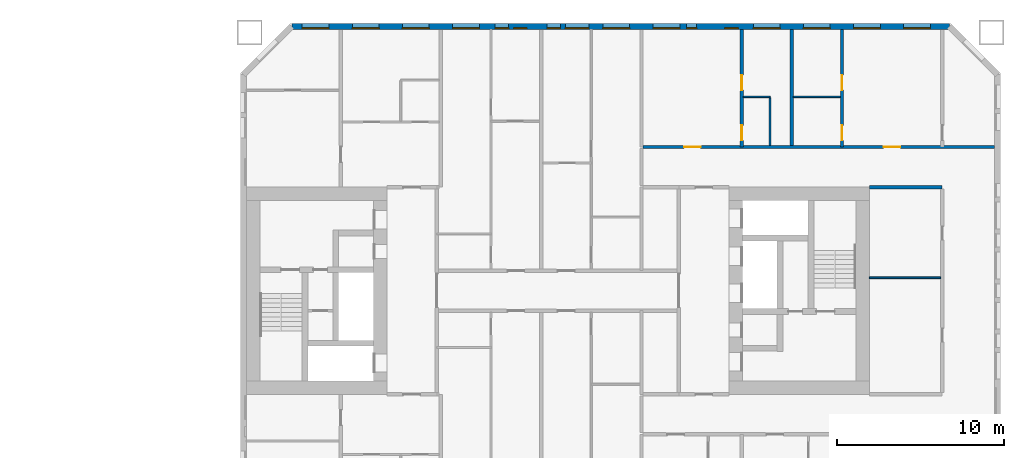
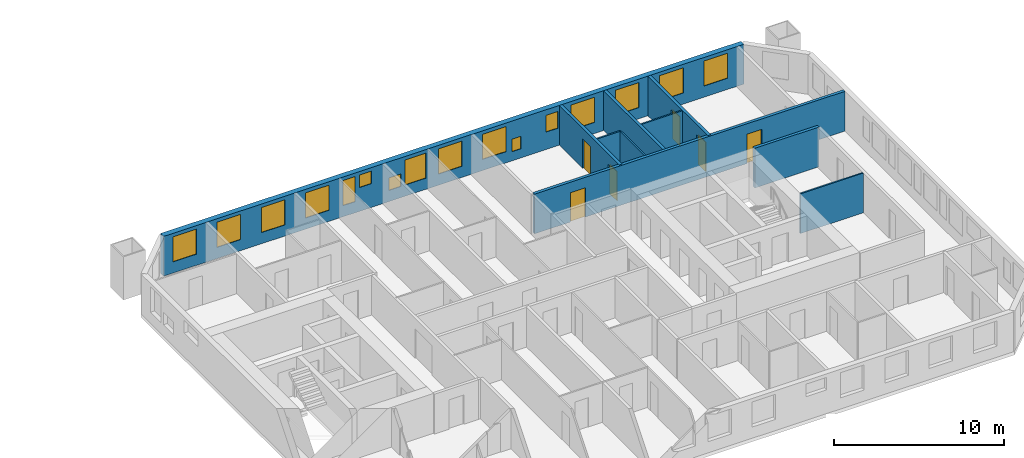
# One storey, part 16 of 19: 16 windows, 10 walls, 6 doors, 22 openings.
"""IFC4 building model written with IfcOpenShell, lengths in metres."""

from ifc_helpers import new_model, si_unit, direction, frame, frame_2d, origin, place, context, subcontext, project, spatial, rectangle, extrude, material, layer, layer_set, type_object, element, fill, save


model = new_model("IFC4")

# Units and contexts
model_context = context("Model", 3, precision=1e-05, world=origin(), true_north=direction((0.0, 1.0)))
body_context = subcontext(model_context, "Body", "Model", "MODEL_VIEW")
ifc_project = project(units=[si_unit("LENGTHUNIT", "METRE"), si_unit("AREAUNIT", "SQUARE_METRE"), si_unit("VOLUMEUNIT", "CUBIC_METRE"), si_unit("PLANEANGLEUNIT", "RADIAN"), si_unit("MASSUNIT", "GRAM", prefix="KILO")], contexts=[model_context])

# Site, building, storey
site_placement = place(None, origin())
site = spatial("IfcSite", under=ifc_project, at=site_placement, CompositionType="ELEMENT")
building_placement = place(site_placement, origin())
building = spatial("IfcBuilding", under=site, at=building_placement, Name="Tuart Gate Housing", CompositionType="ELEMENT")
storey_placement = place(building_placement, frame((0.0, 0.0, 56.699951171875)))
storey = spatial("IfcBuildingStorey", under=building, at=storey_placement, Name="L15", CompositionType="ELEMENT", Elevation=56.699951171875)

# Wall, openings, windows
ifc_material_1 = material(Name="Brick", Category="masonry")
ifc_layer_1 = layer(ifc_material_1, 0.360107421875)
ifc_layer_set_1 = layer_set([ifc_layer_1], Name="Brick pier and spandrel wall 360")
wall_type_1 = type_object("IfcWallType", Name="Brick pier and spandrel wall 360", PredefinedType="STANDARD", material=ifc_layer_set_1)
wall_1_placement = place(storey_placement, frame((173.42529296875, 85.820068359375, 0.0), z_axis=(0.0, 0.0, 1.0), x_axis=(-1.0, 0.0, 0.0)))
wall_1 = element("IfcWall", 1, at=wall_1_placement, inside=storey, type_object=wall_type_1, Name="External wall B-N L15", PredefinedType="STANDARD", context=body_context, shape_type="SweptSolid", body=[
    extrude(rectangle(XDim=39.350830078125, YDim=0.360107421875, at=frame_2d((19.67529296875, 0.0))), origin(), (0.0, 0.0, 1.0), 2.85009765625),
])
opening_1_placement = place(wall_1_placement, frame((1.12548828125, 0.0, 0.800048828125)))
opening_1 = element("IfcOpeningElement", 2, at=opening_1_placement, cuts=wall_1, Name="Opening W1", PredefinedType="OPENING", context=body_context, shape_type="SweptSolid", body=[
    extrude(rectangle(XDim=1.60009765625, YDim=1.800048828125, at=frame_2d((0.800048828125, 0.89990234375))), frame((0.0, 0.18994140625, 0.0), z_axis=(0.0, -1.0, 0.0), x_axis=(1.0, 0.0, 0.0)), (0.0, 0.0, 1.0), 0.380126953125),
])
opening_2_placement = place(wall_1_placement, frame((4.12548828125, 0.0, 0.800048828125)))
opening_2 = element("IfcOpeningElement", 3, at=opening_2_placement, cuts=wall_1, Name="Opening W1", PredefinedType="OPENING", context=body_context, shape_type="SweptSolid", body=[
    extrude(rectangle(XDim=1.60009765625, YDim=1.800048828125, at=frame_2d((0.800048828125, 0.89990234375))), frame((0.0, 0.18994140625, 0.0), z_axis=(0.0, -1.0, 0.0), x_axis=(1.0, 0.0, 0.0)), (0.0, 0.0, 1.0), 0.380126953125),
])
opening_3_placement = place(wall_1_placement, frame((7.12548828125, 0.0, 0.800048828125)))
opening_3 = element("IfcOpeningElement", 4, at=opening_3_placement, cuts=wall_1, Name="Opening W1", PredefinedType="OPENING", context=body_context, shape_type="SweptSolid", body=[
    extrude(rectangle(XDim=1.60009765625, YDim=1.800048828125, at=frame_2d((0.800048828125, 0.89990234375))), frame((0.0, 0.18994140625, 0.0), z_axis=(0.0, -1.0, 0.0), x_axis=(1.0, 0.0, 0.0)), (0.0, 0.0, 1.0), 0.380126953125),
])
opening_4_placement = place(wall_1_placement, frame((10.12548828125, 0.0, 0.800048828125)))
opening_4 = element("IfcOpeningElement", 5, at=opening_4_placement, cuts=wall_1, Name="Opening W1", PredefinedType="OPENING", context=body_context, shape_type="SweptSolid", body=[
    extrude(rectangle(XDim=1.60009765625, YDim=1.800048828125, at=frame_2d((0.800048828125, 0.89990234375))), frame((0.0, 0.18994140625, 0.0), z_axis=(0.0, -1.0, 0.0), x_axis=(1.0, 0.0, 0.0)), (0.0, 0.0, 1.0), 0.380126953125),
])
opening_5_placement = place(wall_1_placement, frame((12.62548828125, 0.0, 1.25)))
opening_5 = element("IfcOpeningElement", 6, at=opening_5_placement, cuts=wall_1, Name="Opening W1P", PredefinedType="OPENING", context=body_context, shape_type="SweptSolid", body=[
    extrude(rectangle(XDim=0.800048828125, YDim=1.199951171875, at=frame_2d((0.39990234375, 0.60009765625))), frame((0.0, 0.18994140625, 0.0), z_axis=(0.0, -1.0, 0.0), x_axis=(1.0, 0.0, 0.0)), (0.0, 0.0, 1.0), 0.380126953125),
])
opening_6_placement = place(wall_1_placement, frame((16.12548828125, 0.0, 0.800048828125)))
opening_6 = element("IfcOpeningElement", 7, at=opening_6_placement, cuts=wall_1, Name="Opening W1", PredefinedType="OPENING", context=body_context, shape_type="SweptSolid", body=[
    extrude(rectangle(XDim=1.60009765625, YDim=1.800048828125, at=frame_2d((0.800048828125, 0.89990234375))), frame((0.0, 0.18994140625, 0.0), z_axis=(0.0, -1.0, 0.0), x_axis=(1.0, 0.0, 0.0)), (0.0, 0.0, 1.0), 0.380126953125),
])
opening_7_placement = place(wall_1_placement, frame((19.12548828125, 0.0, 0.800048828125)))
opening_7 = element("IfcOpeningElement", 8, at=opening_7_placement, cuts=wall_1, Name="Opening W1", PredefinedType="OPENING", context=body_context, shape_type="SweptSolid", body=[
    extrude(rectangle(XDim=1.60009765625, YDim=1.800048828125, at=frame_2d((0.800048828125, 0.89990234375))), frame((0.0, 0.18994140625, 0.0), z_axis=(0.0, -1.0, 0.0), x_axis=(1.0, 0.0, 0.0)), (0.0, 0.0, 1.0), 0.380126953125),
])
opening_8_placement = place(wall_1_placement, frame((21.575439453125, 0.0, 0.800048828125)))
opening_8 = element("IfcOpeningElement", 9, at=opening_8_placement, cuts=wall_1, Name="Opening W1A", PredefinedType="OPENING", context=body_context, shape_type="SweptSolid", body=[
    extrude(rectangle(XDim=1.39990234375, YDim=1.800048828125, at=frame_2d((0.699951171875, 0.89990234375))), frame((0.0, 0.18994140625, 0.0), z_axis=(0.0, -1.0, 0.0), x_axis=(1.0, 0.0, 0.0)), (0.0, 0.0, 1.0), 0.380126953125),
])
opening_9_placement = place(wall_1_placement, frame((25.275390625, 0.0, 1.699951171875)))
opening_9 = element("IfcOpeningElement", 10, at=opening_9_placement, cuts=wall_1, Name="Opening W1V", PredefinedType="OPENING", context=body_context, shape_type="SweptSolid", body=[
    extrude(rectangle(XDim=0.800048828125, YDim=0.89990234375, at=frame_2d((0.39990234375, 0.449951171875))), frame((0.0, 0.18994140625, 0.0), z_axis=(0.0, -1.0, 0.0), x_axis=(1.0, 0.0, 0.0)), (0.0, 0.0, 1.0), 0.380126953125),
])
opening_10_placement = place(wall_1_placement, frame((28.12548828125, 0.0, 0.800048828125)))
opening_10 = element("IfcOpeningElement", 11, at=opening_10_placement, cuts=wall_1, Name="Opening W1", PredefinedType="OPENING", context=body_context, shape_type="SweptSolid", body=[
    extrude(rectangle(XDim=1.60009765625, YDim=1.800048828125, at=frame_2d((0.800048828125, 0.89990234375))), frame((0.0, 0.18994140625, 0.0), z_axis=(0.0, -1.0, 0.0), x_axis=(1.0, 0.0, 0.0)), (0.0, 0.0, 1.0), 0.380126953125),
])
opening_11_placement = place(wall_1_placement, frame((31.12548828125, 0.0, 0.800048828125)))
opening_11 = element("IfcOpeningElement", 12, at=opening_11_placement, cuts=wall_1, Name="Opening W1", PredefinedType="OPENING", context=body_context, shape_type="SweptSolid", body=[
    extrude(rectangle(XDim=1.60009765625, YDim=1.800048828125, at=frame_2d((0.800048828125, 0.89990234375))), frame((0.0, 0.18994140625, 0.0), z_axis=(0.0, -1.0, 0.0), x_axis=(1.0, 0.0, 0.0)), (0.0, 0.0, 1.0), 0.380126953125),
])
opening_12_placement = place(wall_1_placement, frame((34.12548828125, 0.0, 0.800048828125)))
opening_12 = element("IfcOpeningElement", 13, at=opening_12_placement, cuts=wall_1, Name="Opening W1", PredefinedType="OPENING", context=body_context, shape_type="SweptSolid", body=[
    extrude(rectangle(XDim=1.60009765625, YDim=1.800048828125, at=frame_2d((0.800048828125, 0.89990234375))), frame((0.0, 0.18994140625, 0.0), z_axis=(0.0, -1.0, 0.0), x_axis=(1.0, 0.0, 0.0)), (0.0, 0.0, 1.0), 0.380126953125),
])
opening_13_placement = place(wall_1_placement, frame((37.12548828125, 0.0, 0.800048828125)))
opening_13 = element("IfcOpeningElement", 14, at=opening_13_placement, cuts=wall_1, Name="Opening W1", PredefinedType="OPENING", context=body_context, shape_type="SweptSolid", body=[
    extrude(rectangle(XDim=1.60009765625, YDim=1.800048828125, at=frame_2d((0.800048828125, 0.89990234375))), frame((0.0, 0.18994140625, 0.0), z_axis=(0.0, -1.0, 0.0), x_axis=(1.0, 0.0, 0.0)), (0.0, 0.0, 1.0), 0.380126953125),
])
opening_14_placement = place(wall_1_placement, frame((15.12548828125, 0.0, 0.64990234375)))
opening_14 = element("IfcOpeningElement", 15, at=opening_14_placement, cuts=wall_1, Name="Opening W1W", PredefinedType="OPENING", context=body_context, shape_type="SweptSolid", body=[
    extrude(rectangle(XDim=0.60009765625, YDim=0.89990234375, at=frame_2d((0.300048828125, 0.449951171875))), frame((0.0, 0.18994140625, 0.0), z_axis=(0.0, -1.0, 0.0), x_axis=(1.0, 0.0, 0.0)), (0.0, 0.0, 1.0), 0.380126953125),
])
opening_15_placement = place(wall_1_placement, frame((23.275390625, 0.0, 0.800048828125)))
opening_15 = element("IfcOpeningElement", 16, at=opening_15_placement, cuts=wall_1, Name="Opening W1V", PredefinedType="OPENING", context=body_context, shape_type="SweptSolid", body=[
    extrude(rectangle(XDim=0.800048828125, YDim=0.89990234375, at=frame_2d((0.39990234375, 0.449951171875))), frame((0.0, 0.18994140625, 0.0), z_axis=(0.0, -1.0, 0.0), x_axis=(1.0, 0.0, 0.0)), (0.0, 0.0, 1.0), 0.380126953125),
])
opening_16_placement = place(wall_1_placement, frame((26.37548828125, 0.0, 0.800048828125)))
opening_16 = element("IfcOpeningElement", 17, at=opening_16_placement, cuts=wall_1, Name="Opening W1D", PredefinedType="OPENING", context=body_context, shape_type="SweptSolid", body=[
    extrude(rectangle(XDim=0.800048828125, YDim=1.800048828125, at=frame_2d((0.39990234375, 0.89990234375))), frame((0.0, 0.18994140625, 0.0), z_axis=(0.0, -1.0, 0.0), x_axis=(1.0, 0.0, 0.0)), (0.0, 0.0, 1.0), 0.380126953125),
])
ifc_material_2 = material(Name="Aluminium frame with clear glass", Category="aluminium")
window_type_1 = type_object("IfcWindowType", Name="Punched window 1400 x 1800", PartitioningType="SINGLE_PANEL", PredefinedType="WINDOW", material=ifc_material_2)
window_1_placement = place(opening_8_placement, origin())
window_1 = element("IfcWindow", 18, at=window_1_placement, inside=storey, type_object=window_type_1, Name="Window W1A", OverallHeight=1.800048828125, OverallWidth=1.39990234375, PartitioningType="SINGLE_PANEL", PredefinedType="WINDOW", context=body_context, shape_type="SweptSolid", body=[
    extrude(rectangle(XDim=1.39990234375, YDim=1.800048828125, at=frame_2d((0.699951171875, 0.89990234375))), frame((0.0, 0.150146484375, 0.0), z_axis=(0.0, -1.0, 0.0), x_axis=(1.0, 0.0, 0.0)), (0.0, 0.0, 1.0), 0.06005859375),
])
fill(opening_8, window_1)
ifc_material_3 = material(Name="Aluminium frame with clear glass", Category="aluminium")
window_type_2 = type_object("IfcWindowType", Name="Punched window 1600 x 1800", PartitioningType="SINGLE_PANEL", PredefinedType="WINDOW", material=ifc_material_3)
window_2_placement = place(opening_1_placement, origin())
window_2 = element("IfcWindow", 19, at=window_2_placement, inside=storey, type_object=window_type_2, Name="Window W1", OverallHeight=1.800048828125, OverallWidth=1.60009765625, PartitioningType="SINGLE_PANEL", PredefinedType="WINDOW", context=body_context, shape_type="SweptSolid", body=[
    extrude(rectangle(XDim=1.60009765625, YDim=1.800048828125, at=frame_2d((0.800048828125, 0.89990234375))), frame((0.0, 0.150146484375, 0.0), z_axis=(0.0, -1.0, 0.0), x_axis=(1.0, 0.0, 0.0)), (0.0, 0.0, 1.0), 0.06005859375),
])
fill(opening_1, window_2)
window_3_placement = place(opening_2_placement, origin())
window_3 = element("IfcWindow", 20, at=window_3_placement, inside=storey, type_object=window_type_2, Name="Window W1", OverallHeight=1.800048828125, OverallWidth=1.60009765625, PartitioningType="SINGLE_PANEL", PredefinedType="WINDOW", context=body_context, shape_type="SweptSolid", body=[
    extrude(rectangle(XDim=1.60009765625, YDim=1.800048828125, at=frame_2d((0.800048828125, 0.89990234375))), frame((0.0, 0.150146484375, 0.0), z_axis=(0.0, -1.0, 0.0), x_axis=(1.0, 0.0, 0.0)), (0.0, 0.0, 1.0), 0.06005859375),
])
fill(opening_2, window_3)
window_4_placement = place(opening_3_placement, origin())
window_4 = element("IfcWindow", 21, at=window_4_placement, inside=storey, type_object=window_type_2, Name="Window W1", OverallHeight=1.800048828125, OverallWidth=1.60009765625, PartitioningType="SINGLE_PANEL", PredefinedType="WINDOW", context=body_context, shape_type="SweptSolid", body=[
    extrude(rectangle(XDim=1.60009765625, YDim=1.800048828125, at=frame_2d((0.800048828125, 0.89990234375))), frame((0.0, 0.150146484375, 0.0), z_axis=(0.0, -1.0, 0.0), x_axis=(1.0, 0.0, 0.0)), (0.0, 0.0, 1.0), 0.06005859375),
])
fill(opening_3, window_4)
window_5_placement = place(opening_4_placement, origin())
window_5 = element("IfcWindow", 22, at=window_5_placement, inside=storey, type_object=window_type_2, Name="Window W1", OverallHeight=1.800048828125, OverallWidth=1.60009765625, PartitioningType="SINGLE_PANEL", PredefinedType="WINDOW", context=body_context, shape_type="SweptSolid", body=[
    extrude(rectangle(XDim=1.60009765625, YDim=1.800048828125, at=frame_2d((0.800048828125, 0.89990234375))), frame((0.0, 0.150146484375, 0.0), z_axis=(0.0, -1.0, 0.0), x_axis=(1.0, 0.0, 0.0)), (0.0, 0.0, 1.0), 0.06005859375),
])
fill(opening_4, window_5)
window_6_placement = place(opening_6_placement, origin())
window_6 = element("IfcWindow", 23, at=window_6_placement, inside=storey, type_object=window_type_2, Name="Window W1", OverallHeight=1.800048828125, OverallWidth=1.60009765625, PartitioningType="SINGLE_PANEL", PredefinedType="WINDOW", context=body_context, shape_type="SweptSolid", body=[
    extrude(rectangle(XDim=1.60009765625, YDim=1.800048828125, at=frame_2d((0.800048828125, 0.89990234375))), frame((0.0, 0.150146484375, 0.0), z_axis=(0.0, -1.0, 0.0), x_axis=(1.0, 0.0, 0.0)), (0.0, 0.0, 1.0), 0.06005859375),
])
fill(opening_6, window_6)
window_7_placement = place(opening_7_placement, origin())
window_7 = element("IfcWindow", 24, at=window_7_placement, inside=storey, type_object=window_type_2, Name="Window W1", OverallHeight=1.800048828125, OverallWidth=1.60009765625, PartitioningType="SINGLE_PANEL", PredefinedType="WINDOW", context=body_context, shape_type="SweptSolid", body=[
    extrude(rectangle(XDim=1.60009765625, YDim=1.800048828125, at=frame_2d((0.800048828125, 0.89990234375))), frame((0.0, 0.150146484375, 0.0), z_axis=(0.0, -1.0, 0.0), x_axis=(1.0, 0.0, 0.0)), (0.0, 0.0, 1.0), 0.06005859375),
])
fill(opening_7, window_7)
window_8_placement = place(opening_10_placement, origin())
window_8 = element("IfcWindow", 25, at=window_8_placement, inside=storey, type_object=window_type_2, Name="Window W1", OverallHeight=1.800048828125, OverallWidth=1.60009765625, PartitioningType="SINGLE_PANEL", PredefinedType="WINDOW", context=body_context, shape_type="SweptSolid", body=[
    extrude(rectangle(XDim=1.60009765625, YDim=1.800048828125, at=frame_2d((0.800048828125, 0.89990234375))), frame((0.0, 0.150146484375, 0.0), z_axis=(0.0, -1.0, 0.0), x_axis=(1.0, 0.0, 0.0)), (0.0, 0.0, 1.0), 0.06005859375),
])
fill(opening_10, window_8)
window_9_placement = place(opening_11_placement, origin())
window_9 = element("IfcWindow", 26, at=window_9_placement, inside=storey, type_object=window_type_2, Name="Window W1", OverallHeight=1.800048828125, OverallWidth=1.60009765625, PartitioningType="SINGLE_PANEL", PredefinedType="WINDOW", context=body_context, shape_type="SweptSolid", body=[
    extrude(rectangle(XDim=1.60009765625, YDim=1.800048828125, at=frame_2d((0.800048828125, 0.89990234375))), frame((0.0, 0.150146484375, 0.0), z_axis=(0.0, -1.0, 0.0), x_axis=(1.0, 0.0, 0.0)), (0.0, 0.0, 1.0), 0.06005859375),
])
fill(opening_11, window_9)
window_10_placement = place(opening_12_placement, origin())
window_10 = element("IfcWindow", 27, at=window_10_placement, inside=storey, type_object=window_type_2, Name="Window W1", OverallHeight=1.800048828125, OverallWidth=1.60009765625, PartitioningType="SINGLE_PANEL", PredefinedType="WINDOW", context=body_context, shape_type="SweptSolid", body=[
    extrude(rectangle(XDim=1.60009765625, YDim=1.800048828125, at=frame_2d((0.800048828125, 0.89990234375))), frame((0.0, 0.150146484375, 0.0), z_axis=(0.0, -1.0, 0.0), x_axis=(1.0, 0.0, 0.0)), (0.0, 0.0, 1.0), 0.06005859375),
])
fill(opening_12, window_10)
window_11_placement = place(opening_13_placement, origin())
window_11 = element("IfcWindow", 28, at=window_11_placement, inside=storey, type_object=window_type_2, Name="Window W1", OverallHeight=1.800048828125, OverallWidth=1.60009765625, PartitioningType="SINGLE_PANEL", PredefinedType="WINDOW", context=body_context, shape_type="SweptSolid", body=[
    extrude(rectangle(XDim=1.60009765625, YDim=1.800048828125, at=frame_2d((0.800048828125, 0.89990234375))), frame((0.0, 0.150146484375, 0.0), z_axis=(0.0, -1.0, 0.0), x_axis=(1.0, 0.0, 0.0)), (0.0, 0.0, 1.0), 0.06005859375),
])
fill(opening_13, window_11)
ifc_material_4 = material(Name="Aluminium frame with clear glass", Category="aluminium")
window_type_3 = type_object("IfcWindowType", Name="Punched window 600 x 900", PartitioningType="SINGLE_PANEL", PredefinedType="WINDOW", material=ifc_material_4)
window_12_placement = place(opening_14_placement, origin())
window_12 = element("IfcWindow", 29, at=window_12_placement, inside=storey, type_object=window_type_3, Name="Window W1W", OverallHeight=0.89990234375, OverallWidth=0.60009765625, PartitioningType="SINGLE_PANEL", PredefinedType="WINDOW", context=body_context, shape_type="SweptSolid", body=[
    extrude(rectangle(XDim=0.60009765625, YDim=0.89990234375, at=frame_2d((0.300048828125, 0.449951171875))), frame((0.0, 0.150146484375, 0.0), z_axis=(0.0, -1.0, 0.0), x_axis=(1.0, 0.0, 0.0)), (0.0, 0.0, 1.0), 0.06005859375),
])
fill(opening_14, window_12)
ifc_material_5 = material(Name="Aluminium frame with clear glass", Category="aluminium")
window_type_4 = type_object("IfcWindowType", Name="Punched window 800 x 1200", PartitioningType="SINGLE_PANEL", PredefinedType="WINDOW", material=ifc_material_5)
window_13_placement = place(opening_5_placement, origin())
window_13 = element("IfcWindow", 30, at=window_13_placement, inside=storey, type_object=window_type_4, Name="Window W1P", OverallHeight=1.199951171875, OverallWidth=0.800048828125, PartitioningType="SINGLE_PANEL", PredefinedType="WINDOW", context=body_context, shape_type="SweptSolid", body=[
    extrude(rectangle(XDim=0.800048828125, YDim=1.199951171875, at=frame_2d((0.39990234375, 0.60009765625))), frame((0.0, 0.150146484375, 0.0), z_axis=(0.0, -1.0, 0.0), x_axis=(1.0, 0.0, 0.0)), (0.0, 0.0, 1.0), 0.06005859375),
])
fill(opening_5, window_13)
ifc_material_6 = material(Name="Aluminium frame with clear glass", Category="aluminium")
window_type_5 = type_object("IfcWindowType", Name="Punched window 800 x 1800", PartitioningType="SINGLE_PANEL", PredefinedType="WINDOW", material=ifc_material_6)
window_14_placement = place(opening_16_placement, origin())
window_14 = element("IfcWindow", 31, at=window_14_placement, inside=storey, type_object=window_type_5, Name="Window W1D", OverallHeight=1.800048828125, OverallWidth=0.800048828125, PartitioningType="SINGLE_PANEL", PredefinedType="WINDOW", context=body_context, shape_type="SweptSolid", body=[
    extrude(rectangle(XDim=0.800048828125, YDim=1.800048828125, at=frame_2d((0.39990234375, 0.89990234375))), frame((0.0, 0.150146484375, 0.0), z_axis=(0.0, -1.0, 0.0), x_axis=(1.0, 0.0, 0.0)), (0.0, 0.0, 1.0), 0.06005859375),
])
fill(opening_16, window_14)
ifc_material_7 = material(Name="Aluminium frame with clear glass", Category="aluminium")
window_type_6 = type_object("IfcWindowType", Name="Punched window 800 x 900", PartitioningType="SINGLE_PANEL", PredefinedType="WINDOW", material=ifc_material_7)
window_15_placement = place(opening_9_placement, origin())
window_15 = element("IfcWindow", 32, at=window_15_placement, inside=storey, type_object=window_type_6, Name="Window W1V", OverallHeight=0.89990234375, OverallWidth=0.800048828125, PartitioningType="SINGLE_PANEL", PredefinedType="WINDOW", context=body_context, shape_type="SweptSolid", body=[
    extrude(rectangle(XDim=0.800048828125, YDim=0.89990234375, at=frame_2d((0.39990234375, 0.449951171875))), frame((0.0, 0.150146484375, 0.0), z_axis=(0.0, -1.0, 0.0), x_axis=(1.0, 0.0, 0.0)), (0.0, 0.0, 1.0), 0.06005859375),
])
fill(opening_9, window_15)
window_16_placement = place(opening_15_placement, origin())
window_16 = element("IfcWindow", 33, at=window_16_placement, inside=storey, type_object=window_type_6, Name="Window W1V", OverallHeight=0.89990234375, OverallWidth=0.800048828125, PartitioningType="SINGLE_PANEL", PredefinedType="WINDOW", context=body_context, shape_type="SweptSolid", body=[
    extrude(rectangle(XDim=0.800048828125, YDim=0.89990234375, at=frame_2d((0.39990234375, 0.449951171875))), frame((0.0, 0.150146484375, 0.0), z_axis=(0.0, -1.0, 0.0), x_axis=(1.0, 0.0, 0.0)), (0.0, 0.0, 1.0), 0.06005859375),
])
fill(opening_15, window_16)

# Wall
ifc_material_8 = material(Name="Concrete masonry 15 MPa", Category="masonry")
ifc_layer_2 = layer(ifc_material_8, 0.199951171875)
ifc_layer_set_2 = layer_set([ifc_layer_2], Name="Corridor wall masonry 200")
wall_type_2 = type_object("IfcWallType", Name="Corridor wall masonry 200", PredefinedType="PARTITIONING", material=ifc_layer_set_2)
wall_2_placement = place(storey_placement, frame((168.639892578125, 76.199951171875, 0.0), z_axis=(0.0, 0.0, 1.0), x_axis=(1.0, 0.0, 0.0)))
element("IfcWall", 34, at=wall_2_placement, inside=storey, type_object=wall_type_2, Name="Corridor wall masonry 200", PredefinedType="PARTITIONING", context=body_context, shape_type="SweptSolid", body=[
    extrude(rectangle(XDim=4.360107421875, YDim=0.199951171875, at=frame_2d((2.18017578125, 0.0))), origin(), (0.0, 0.0, 1.0), 2.85009765625),
])

# Wall, openings, doors
wall_3_placement = place(storey_placement, frame((155.10009765625, 78.60009765625, 0.0), z_axis=(0.0, 0.0, 1.0), x_axis=(1.0, 0.0, 0.0)))
wall_3 = element("IfcWall", 35, at=wall_3_placement, inside=storey, type_object=wall_type_2, Name="Corridor wall masonry 200", PredefinedType="PARTITIONING", context=body_context, shape_type="SweptSolid", body=[
    extrude(rectangle(XDim=21.039794921875, YDim=0.199951171875, at=frame_2d((10.52001953125, 0.0))), origin(), (0.0, 0.0, 1.0), 2.85009765625),
])
opening_17_placement = place(wall_3_placement, frame((2.449951171875, 0.0, 0.0)))
opening_17 = element("IfcOpeningElement", 36, at=opening_17_placement, cuts=wall_3, Name="Opening D788", PredefinedType="OPENING", context=body_context, shape_type="SweptSolid", body=[
    extrude(rectangle(XDim=1.0, YDim=2.10009765625, at=frame_2d((0.5, 1.050048828125))), frame((0.0, 0.10986328125, 0.0), z_axis=(0.0, -1.0, 0.0), x_axis=(1.0, 0.0, 0.0)), (0.0, 0.0, 1.0), 0.219970703125),
])
opening_18_placement = place(wall_3_placement, frame((14.39990234375, 0.0, 0.0)))
opening_18 = element("IfcOpeningElement", 37, at=opening_18_placement, cuts=wall_3, Name="Opening D789", PredefinedType="OPENING", context=body_context, shape_type="SweptSolid", body=[
    extrude(rectangle(XDim=1.0, YDim=2.10009765625, at=frame_2d((0.5, 1.050048828125))), frame((0.0, 0.10986328125, 0.0), z_axis=(0.0, -1.0, 0.0), x_axis=(1.0, 0.0, 0.0)), (0.0, 0.0, 1.0), 0.219970703125),
])
ifc_material_9 = material(Name="Timber door leaf in steel frame", Category="steel")
door_type_1 = type_object("IfcDoorType", Name="Flat entrance door 1000", OperationType="SINGLE_SWING_LEFT", PredefinedType="DOOR", material=ifc_material_9)
door_1_placement = place(opening_18_placement, origin())
door_1 = element("IfcDoor", 38, at=door_1_placement, inside=storey, type_object=door_type_1, Name="Flat entrance door", OperationType="SINGLE_SWING_LEFT", OverallHeight=2.10009765625, OverallWidth=1.0, PredefinedType="DOOR", context=body_context, shape_type="SweptSolid", body=[
    extrude(rectangle(XDim=1.0, YDim=2.10009765625, at=frame_2d((0.5, 1.050048828125))), frame((0.0, 0.02490234375, 0.0), z_axis=(0.0, -1.0, 0.0), x_axis=(1.0, 0.0, 0.0)), (0.0, 0.0, 1.0), 0.050048828125),
])
fill(opening_18, door_1)
ifc_material_10 = material(Name="Timber door leaf in steel frame", Category="steel")
door_type_2 = type_object("IfcDoorType", Name="Flat entrance door 1000 RH", OperationType="SINGLE_SWING_RIGHT", PredefinedType="DOOR", material=ifc_material_10)
door_2_placement = place(opening_17_placement, origin())
door_2 = element("IfcDoor", 39, at=door_2_placement, inside=storey, type_object=door_type_2, Name="Flat entrance door", OperationType="SINGLE_SWING_RIGHT", OverallHeight=2.10009765625, OverallWidth=1.0, PredefinedType="DOOR", context=body_context, shape_type="SweptSolid", body=[
    extrude(rectangle(XDim=1.0, YDim=2.10009765625, at=frame_2d((0.5, 1.050048828125))), frame((0.0, 0.02490234375, 0.0), z_axis=(0.0, -1.0, 0.0), x_axis=(1.0, 0.0, 0.0)), (0.0, 0.0, 1.0), 0.050048828125),
])
fill(opening_17, door_2)

# Walls
ifc_material_11 = material(Name="Gypsum board on steel studs", Category="steel")
ifc_layer_3 = layer(ifc_material_11, 0.10009765625)
ifc_layer_set_3 = layer_set([ifc_layer_3], Name="Partition 100")
wall_type_3 = type_object("IfcWallType", Name="Partition 100", PredefinedType="PARTITIONING", material=ifc_layer_set_3)
wall_4_placement = place(storey_placement, frame((168.639892578125, 70.77001953125, 0.0), z_axis=(0.0, 0.0, 1.0), x_axis=(1.0, 0.0, 0.0)))
element("IfcWall", 40, at=wall_4_placement, inside=storey, type_object=wall_type_3, Name="Partition 100", PredefinedType="PARTITIONING", context=body_context, shape_type="SweptSolid", body=[
    extrude(rectangle(XDim=4.260009765625, YDim=0.10009765625, at=frame_2d((2.1298828125, 0.0))), origin(), (0.0, 0.0, 1.0), 2.85009765625),
])
wall_5_placement = place(storey_placement, frame((161.10009765625, 81.60009765625, 0.0), z_axis=(0.0, 0.0, 1.0), x_axis=(1.0, 0.0, 0.0)))
element("IfcWall", 41, at=wall_5_placement, inside=storey, type_object=wall_type_3, Name="Partition 100", PredefinedType="PARTITIONING", context=body_context, shape_type="SweptSolid", body=[
    extrude(rectangle(XDim=1.599853515625, YDim=0.10009765625, at=frame_2d((0.7998046875, 0.0))), origin(), (0.0, 0.0, 1.0), 2.85009765625),
])
wall_6_placement = place(storey_placement, frame((164.10009765625, 81.60009765625, 0.0), z_axis=(0.0, 0.0, 1.0), x_axis=(1.0, 0.0, 0.0)))
element("IfcWall", 42, at=wall_6_placement, inside=storey, type_object=wall_type_3, Name="Partition 100", PredefinedType="PARTITIONING", context=body_context, shape_type="SweptSolid", body=[
    extrude(rectangle(XDim=2.7998046875, YDim=0.10009765625, at=frame_2d((1.39990234375, 0.0))), origin(), (0.0, 0.0, 1.0), 2.85009765625),
])
wall_7_placement = place(storey_placement, frame((162.699951171875, 78.699951171875, 0.0), z_axis=(0.0, 0.0, 1.0), x_axis=(0.0, 1.0, 0.0)))
element("IfcWall", 43, at=wall_7_placement, inside=storey, type_object=wall_type_3, Name="Partition 100", PredefinedType="PARTITIONING", context=body_context, shape_type="SweptSolid", body=[
    extrude(rectangle(XDim=2.85009765625, YDim=0.10009765625, at=frame_2d((1.425048828125, 0.0))), origin(), (0.0, 0.0, 1.0), 2.85009765625),
])

# Wall, openings, doors
ifc_material_12 = material(Name="Concrete C40", Category="concrete")
ifc_layer_4 = layer(ifc_material_12, 0.199951171875)
ifc_layer_set_4 = layer_set([ifc_layer_4], Name="Party wall concrete C40 200")
wall_type_4 = type_object("IfcWallType", Name="Party wall concrete C40 200", PredefinedType="SOLIDWALL", material=ifc_layer_set_4)
wall_8_placement = place(storey_placement, frame((161.0, 78.60009765625, 0.0), z_axis=(0.0, 0.0, 1.0), x_axis=(0.0, 1.0, 0.0)))
wall_8 = element("IfcWall", 44, at=wall_8_placement, inside=storey, type_object=wall_type_4, Name="Party wall concrete C40 200", PredefinedType="SOLIDWALL", context=body_context, shape_type="SweptSolid", body=[
    extrude(rectangle(XDim=7.039794921875, YDim=0.199951171875, at=frame_2d((3.52001953125, 0.0))), origin(), (0.0, 0.0, 1.0), 2.85009765625),
])
opening_19_placement = place(wall_8_placement, frame((3.39990234375, 0.0, 0.0)))
opening_19 = element("IfcOpeningElement", 45, at=opening_19_placement, cuts=wall_8, Name="Opening D779", PredefinedType="OPENING", context=body_context, shape_type="SweptSolid", body=[
    extrude(rectangle(XDim=0.89990234375, YDim=2.10009765625, at=frame_2d((0.449951171875, 1.050048828125))), frame((0.0, 0.10986328125, 0.0), z_axis=(0.0, -1.0, 0.0), x_axis=(1.0, 0.0, 0.0)), (0.0, 0.0, 1.0), 0.219970703125),
])
opening_20_placement = place(wall_8_placement, frame((0.39990234375, 0.0, 0.0)))
opening_20 = element("IfcOpeningElement", 46, at=opening_20_placement, cuts=wall_8, Name="Opening D778", PredefinedType="OPENING", context=body_context, shape_type="SweptSolid", body=[
    extrude(rectangle(XDim=0.89990234375, YDim=2.10009765625, at=frame_2d((0.449951171875, 1.050048828125))), frame((0.0, 0.10986328125, 0.0), z_axis=(0.0, -1.0, 0.0), x_axis=(1.0, 0.0, 0.0)), (0.0, 0.0, 1.0), 0.219970703125),
])
ifc_material_13 = material(Name="Timber door leaf in steel frame", Category="steel")
door_type_3 = type_object("IfcDoorType", Name="Bathroom door 900 RH", OperationType="SINGLE_SWING_RIGHT", PredefinedType="DOOR", material=ifc_material_13)
door_3_placement = place(opening_20_placement, frame((0.89990234375, 0.0, 0.0), z_axis=(0.0, 0.0, 1.0), x_axis=(-1.0, 0.0, 0.0)))
door_3 = element("IfcDoor", 47, at=door_3_placement, inside=storey, type_object=door_type_3, Name="Bathroom door", OperationType="SINGLE_SWING_RIGHT", OverallHeight=2.10009765625, OverallWidth=0.89990234375, PredefinedType="DOOR", context=body_context, shape_type="SweptSolid", body=[
    extrude(rectangle(XDim=0.89990234375, YDim=2.10009765625, at=frame_2d((0.449951171875, 1.050048828125))), frame((0.0, 0.025146484375, 0.0), z_axis=(0.0, -1.0, 0.0), x_axis=(1.0, 0.0, 0.0)), (0.0, 0.0, 1.0), 0.050048828125),
])
fill(opening_20, door_3)
ifc_material_14 = material(Name="Timber door leaf in steel frame", Category="steel")
door_type_4 = type_object("IfcDoorType", Name="Internal door 900 RH", OperationType="SINGLE_SWING_RIGHT", PredefinedType="DOOR", material=ifc_material_14)
door_4_placement = place(opening_19_placement, frame((0.89990234375, 0.0, 0.0), z_axis=(0.0, 0.0, 1.0), x_axis=(-1.0, 0.0, 0.0)))
door_4 = element("IfcDoor", 48, at=door_4_placement, inside=storey, type_object=door_type_4, Name="Internal door", OperationType="SINGLE_SWING_RIGHT", OverallHeight=2.10009765625, OverallWidth=0.89990234375, PredefinedType="DOOR", context=body_context, shape_type="SweptSolid", body=[
    extrude(rectangle(XDim=0.89990234375, YDim=2.10009765625, at=frame_2d((0.449951171875, 1.050048828125))), frame((0.0, 0.025146484375, 0.0), z_axis=(0.0, -1.0, 0.0), x_axis=(1.0, 0.0, 0.0)), (0.0, 0.0, 1.0), 0.050048828125),
])
fill(opening_19, door_4)

wall_9_placement = place(storey_placement, frame((167.0, 78.60009765625, 0.0), z_axis=(0.0, 0.0, 1.0), x_axis=(0.0, 1.0, 0.0)))
wall_9 = element("IfcWall", 49, at=wall_9_placement, inside=storey, type_object=wall_type_4, Name="Party wall concrete C40 200", PredefinedType="SOLIDWALL", context=body_context, shape_type="SweptSolid", body=[
    extrude(rectangle(XDim=7.039794921875, YDim=0.199951171875, at=frame_2d((3.52001953125, 0.0))), origin(), (0.0, 0.0, 1.0), 2.85009765625),
])
opening_21_placement = place(wall_9_placement, frame((3.39990234375, 0.0, 0.0)))
opening_21 = element("IfcOpeningElement", 50, at=opening_21_placement, cuts=wall_9, Name="Opening D781", PredefinedType="OPENING", context=body_context, shape_type="SweptSolid", body=[
    extrude(rectangle(XDim=0.89990234375, YDim=2.10009765625, at=frame_2d((0.449951171875, 1.050048828125))), frame((0.0, 0.10986328125, 0.0), z_axis=(0.0, -1.0, 0.0), x_axis=(1.0, 0.0, 0.0)), (0.0, 0.0, 1.0), 0.219970703125),
])
opening_22_placement = place(wall_9_placement, frame((0.39990234375, 0.0, 0.0)))
opening_22 = element("IfcOpeningElement", 51, at=opening_22_placement, cuts=wall_9, Name="Opening D780", PredefinedType="OPENING", context=body_context, shape_type="SweptSolid", body=[
    extrude(rectangle(XDim=0.89990234375, YDim=2.10009765625, at=frame_2d((0.449951171875, 1.050048828125))), frame((0.0, 0.10986328125, 0.0), z_axis=(0.0, -1.0, 0.0), x_axis=(1.0, 0.0, 0.0)), (0.0, 0.0, 1.0), 0.219970703125),
])
ifc_material_15 = material(Name="Timber door leaf in steel frame", Category="steel")
door_type_5 = type_object("IfcDoorType", Name="Bathroom door 900", OperationType="SINGLE_SWING_LEFT", PredefinedType="DOOR", material=ifc_material_15)
door_5_placement = place(opening_22_placement, origin())
door_5 = element("IfcDoor", 52, at=door_5_placement, inside=storey, type_object=door_type_5, Name="Bathroom door", OperationType="SINGLE_SWING_LEFT", OverallHeight=2.10009765625, OverallWidth=0.89990234375, PredefinedType="DOOR", context=body_context, shape_type="SweptSolid", body=[
    extrude(rectangle(XDim=0.89990234375, YDim=2.10009765625, at=frame_2d((0.449951171875, 1.050048828125))), frame((0.0, 0.02490234375, 0.0), z_axis=(0.0, -1.0, 0.0), x_axis=(1.0, 0.0, 0.0)), (0.0, 0.0, 1.0), 0.050048828125),
])
fill(opening_22, door_5)
ifc_material_16 = material(Name="Timber door leaf in steel frame", Category="steel")
door_type_6 = type_object("IfcDoorType", Name="Internal door 900", OperationType="SINGLE_SWING_LEFT", PredefinedType="DOOR", material=ifc_material_16)
door_6_placement = place(opening_21_placement, origin())
door_6 = element("IfcDoor", 53, at=door_6_placement, inside=storey, type_object=door_type_6, Name="Internal door", OperationType="SINGLE_SWING_LEFT", OverallHeight=2.10009765625, OverallWidth=0.89990234375, PredefinedType="DOOR", context=body_context, shape_type="SweptSolid", body=[
    extrude(rectangle(XDim=0.89990234375, YDim=2.10009765625, at=frame_2d((0.449951171875, 1.050048828125))), frame((0.0, 0.02490234375, 0.0), z_axis=(0.0, -1.0, 0.0), x_axis=(1.0, 0.0, 0.0)), (0.0, 0.0, 1.0), 0.050048828125),
])
fill(opening_21, door_6)

# Wall
ifc_material_17 = material(Name="Concrete masonry 15 MPa", Category="masonry")
ifc_layer_5 = layer(ifc_material_17, 0.199951171875)
ifc_layer_set_5 = layer_set([ifc_layer_5], Name="Party wall masonry 200")
wall_type_5 = type_object("IfcWallType", Name="Party wall masonry 200", PredefinedType="PARTITIONING", material=ifc_layer_set_5)
wall_10_placement = place(storey_placement, frame((164.0, 78.699951171875, 0.0), z_axis=(0.0, 0.0, 1.0), x_axis=(0.0, 1.0, 0.0)))
element("IfcWall", 54, at=wall_10_placement, inside=storey, type_object=wall_type_5, Name="Party wall masonry 200", PredefinedType="PARTITIONING", context=body_context, shape_type="SweptSolid", body=[
    extrude(rectangle(XDim=6.93994140625, YDim=0.199951171875, at=frame_2d((3.469970703125, 0.0))), origin(), (0.0, 0.0, 1.0), 2.85009765625),
])

save(model, "model.ifc")
